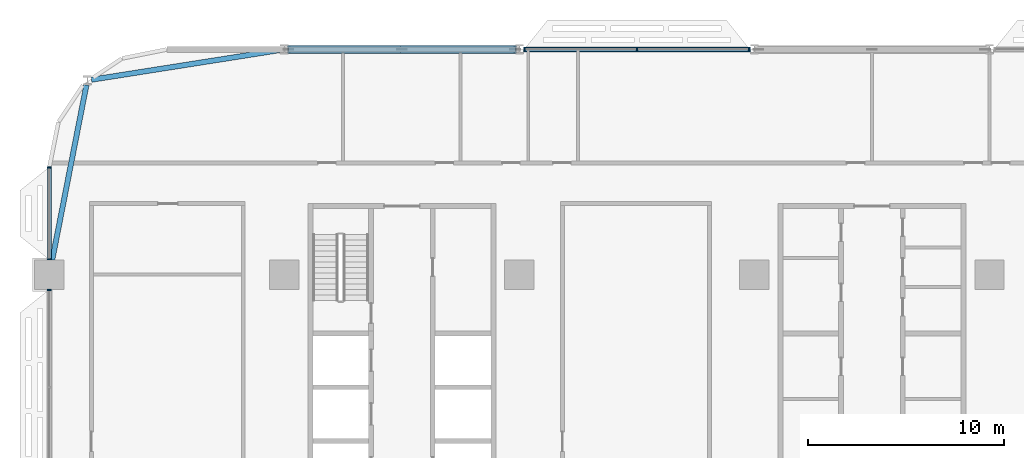
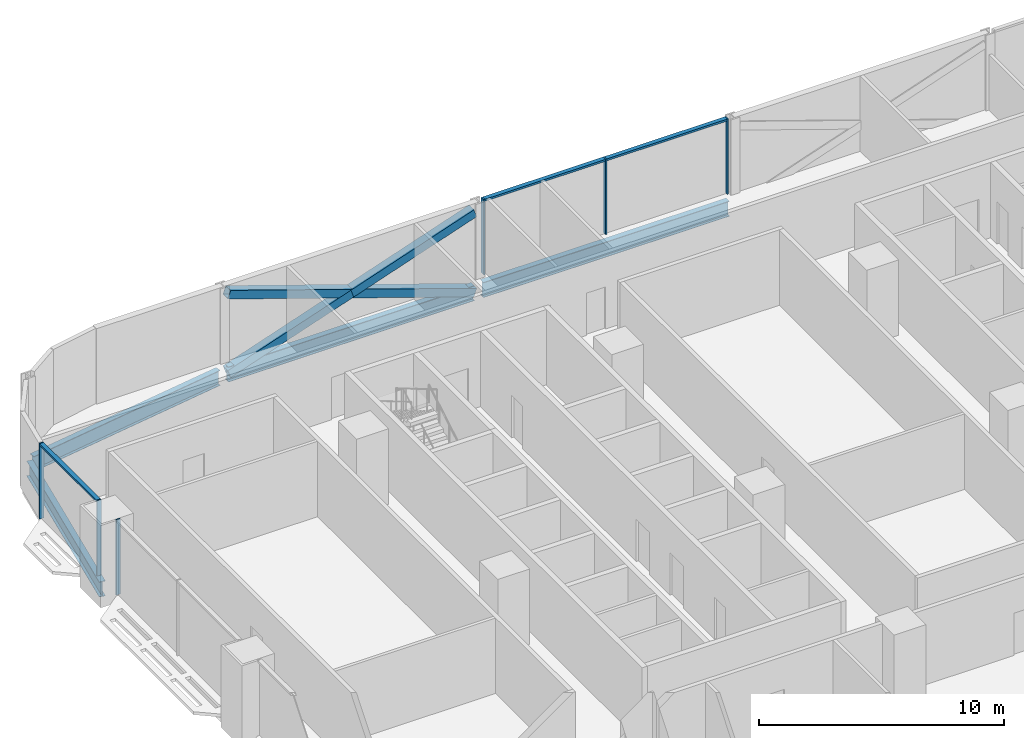
# One storey, part 6 of 29: 12 members, 4 beams, 3 elements without a shape of their own.
"""IFC4 building model written with IfcOpenShell, lengths in metres."""

from ifc_helpers import new_model, si_unit, direction, frame, origin, origin_2d, place, context, subcontext, project, spatial, rectangle, hollow_rectangle, i_section, extrude, material, material_profile, profile_set, type_object, element, aggregate, save


model = new_model("IFC4")

# Units and contexts
model_context = context("Model", 3, precision=1e-05, world=origin(), true_north=direction((0.0, 1.0)))
body_context = subcontext(model_context, "Body", "Model", "MODEL_VIEW")
ifc_project = project(units=[si_unit("LENGTHUNIT", "METRE"), si_unit("AREAUNIT", "SQUARE_METRE"), si_unit("VOLUMEUNIT", "CUBIC_METRE"), si_unit("PLANEANGLEUNIT", "RADIAN"), si_unit("MASSUNIT", "GRAM", prefix="KILO")], contexts=[model_context])

# Site, building, storey
site_placement = place(None, origin())
site = spatial("IfcSite", under=ifc_project, at=site_placement, CompositionType="ELEMENT")
building_placement = place(site_placement, origin())
building = spatial("IfcBuilding", under=site, at=building_placement, Name="Mahtab Terrace Research Tower", CompositionType="ELEMENT")
storey_placement = place(building_placement, frame((0.0, 0.0, 76.10009765625)))
storey = spatial("IfcBuildingStorey", under=building, at=storey_placement, Name="L17", CompositionType="ELEMENT", Elevation=76.10009765625)

# Members
ifc_material_1 = material(Name="Steel ASTM A500 Gr C", Category="steel")
ifc_material_profile_1 = material_profile(ifc_material_1, hollow_rectangle(XDim=0.406494140625, YDim=0.406494140625, WallThickness=0.01904296875, at=origin_2d()), Name="HSS16X16X3/4")
ifc_profile_set_1 = profile_set([ifc_material_profile_1], Name="Steel ASTM A500 Gr C")
member_type_1 = type_object("IfcMemberType", Name="HSS 16x16x3/4 brace XB161634", PredefinedType="BRACE", material=ifc_profile_set_1)
member_1_placement = place(storey_placement, frame((-18.212158203125, 23.0, -0.646240234375), z_axis=(-0.946533742382, 0.0, 0.322604827201), x_axis=(0.0, -1.0, 0.0)))
element("IfcMember", 1, at=member_1_placement, inside=storey, type_object=member_type_1, Name="Exoskeleton brace L17 07 a", PredefinedType="BRACE", context=body_context, shape_type="SweptSolid", body=[
    extrude(hollow_rectangle(XDim=0.406494140625, YDim=0.406494140625, WallThickness=0.01904296875, at=origin_2d()), origin(), (0.0, 0.0, 1.0), 12.2294921875),
])
for number, where, z_axis, x_axis, name in (
    (2, (-29.787841796875, 23.0, -0.646240234375), (0.946533742382, 0.0, 0.322604827201), (0.0, 1.0, 0.0), "Exoskeleton brace L17 07 b1"),
    (3, (-24.0, 23.0, 1.326416015625), (0.946533742382, 0.0, 0.322604827201), (0.0, 1.0, 0.0), "Exoskeleton brace L17 07 b2"),
):
    element("IfcMember", number, at=place(storey_placement, frame(where, z_axis=z_axis, x_axis=x_axis)), inside=storey, type_object=member_type_1, Name=name, PredefinedType="BRACE", context=body_context, shape_type="SweptSolid", body=[
        extrude(hollow_rectangle(XDim=0.406494140625, YDim=0.406494140625, WallThickness=0.01904296875, at=origin_2d()), origin(), (0.0, 0.0, 1.0), 6.11474609375),
    ])

# Curtain wall, members
ifc_material_2 = material(Name="Laboratory ribbon curtain wall")
curtain_wall_type = type_object("IfcCurtainWallType", Name="Laboratory ribbon curtain wall", PredefinedType="NOTDEFINED", material=ifc_material_2)
curtain_wall_1_placement = place(storey_placement, origin())
curtain_wall_1 = element("IfcCurtainWall", 4, at=curtain_wall_1_placement, inside=storey, type_object=curtain_wall_type, Name="EN.L17.3.8", PredefinedType="NOTDEFINED")
ifc_material_3 = material(Name="Natural anodised aluminium", Category="aluminium")
ifc_material_profile_2 = material_profile(ifc_material_3, rectangle(XDim=0.199951171875, YDim=0.06494140625, at=origin_2d()), Name="MULLION 65x200")
ifc_profile_set_2 = profile_set([ifc_material_profile_2], Name="Natural anodised aluminium")
member_type_2 = type_object("IfcMemberType", Name="Laboratory ribbon curtain wall mullion", PredefinedType="MULLION", material=ifc_profile_set_2)
member_2_placement = place(storey_placement, frame((-6.2705078125, 23.0, 0.0), z_axis=(0.0, 0.0, 1.0), x_axis=(0.0, -1.0, 0.0)))
member_2 = element("IfcMember", 5, at=member_2_placement, type_object=member_type_2, Name="CWL-2 mullion 1", PredefinedType="MULLION", context=body_context, shape_type="SweptSolid", body=[
    extrude(rectangle(XDim=0.199951171875, YDim=0.06494140625, at=origin_2d()), origin(), (0.0, 0.0, 1.0), 3.75),
])
member_3_placement = place(storey_placement, frame((-12.0, 23.0, 0.0), z_axis=(0.0, 0.0, 1.0), x_axis=(0.0, -1.0, 0.0)))
member_3 = element("IfcMember", 6, at=member_3_placement, type_object=member_type_2, Name="CWL-2 mullion 2", PredefinedType="MULLION", context=body_context, shape_type="SweptSolid", body=[
    extrude(rectangle(XDim=0.199951171875, YDim=0.06494140625, at=origin_2d()), origin(), (0.0, 0.0, 1.0), 3.75),
])
member_4_placement = place(storey_placement, frame((-17.7294921875, 23.0, 0.0), z_axis=(0.0, 0.0, 1.0), x_axis=(0.0, -1.0, 0.0)))
member_4 = element("IfcMember", 7, at=member_4_placement, type_object=member_type_2, Name="CWL-2 mullion 3", PredefinedType="MULLION", context=body_context, shape_type="SweptSolid", body=[
    extrude(rectangle(XDim=0.199951171875, YDim=0.06494140625, at=origin_2d()), origin(), (0.0, 0.0, 1.0), 3.75),
])

curtain_wall_2_placement = place(storey_placement, origin())
curtain_wall_2 = element("IfcCurtainWall", 8, at=curtain_wall_2_placement, inside=storey, type_object=curtain_wall_type, Name="EN.L17.8.15", PredefinedType="NOTDEFINED")
member_5_placement = place(storey_placement, frame((-42.0, 16.967529296875, 0.0), z_axis=(0.0, 0.0, 1.0), x_axis=(1.0, 0.0, 0.0)))
member_5 = element("IfcMember", 9, at=member_5_placement, type_object=member_type_2, Name="CWL-2 mullion 1", PredefinedType="MULLION", context=body_context, shape_type="SweptSolid", body=[
    extrude(rectangle(XDim=0.199951171875, YDim=0.06494140625, at=origin_2d()), origin(), (0.0, 0.0, 1.0), 3.75),
])
member_6_placement = place(storey_placement, frame((-42.0, 12.282470703125, 0.0), z_axis=(0.0, 0.0, 1.0), x_axis=(1.0, 0.0, 0.0)))
member_6 = element("IfcMember", 10, at=member_6_placement, type_object=member_type_2, Name="CWL-2 mullion 2", PredefinedType="MULLION", context=body_context, shape_type="SweptSolid", body=[
    extrude(rectangle(XDim=0.199951171875, YDim=0.06494140625, at=origin_2d()), origin(), (0.0, 0.0, 1.0), 3.75),
])

# Curtain wall, member
curtain_wall_3_placement = place(storey_placement, origin())
curtain_wall_3 = element("IfcCurtainWall", 11, at=curtain_wall_3_placement, inside=storey, type_object=curtain_wall_type, Name="EN.L17.8.16", PredefinedType="NOTDEFINED")
member_7_placement = place(storey_placement, frame((-42.0, 10.717529296875, 0.0), z_axis=(0.0, 0.0, 1.0), x_axis=(1.0, 0.0, 0.0)))
member_7 = element("IfcMember", 12, at=member_7_placement, type_object=member_type_2, Name="CWL-2 mullion 1", PredefinedType="MULLION", context=body_context, shape_type="SweptSolid", body=[
    extrude(rectangle(XDim=0.199951171875, YDim=0.06494140625, at=origin_2d()), origin(), (0.0, 0.0, 1.0), 3.75),
])
aggregate(curtain_wall_3, [member_7])

# Member
ifc_material_profile_3 = material_profile(ifc_material_3, rectangle(XDim=0.199951171875, YDim=0.10009765625, at=origin_2d()), Name="TRANSOM 100x200")
ifc_profile_set_3 = profile_set([ifc_material_profile_3], Name="Natural anodised aluminium")
member_type_3 = type_object("IfcMemberType", Name="Laboratory ribbon curtain wall transom", PredefinedType="USERDEFINED", material=ifc_profile_set_3)
member_8_placement = place(storey_placement, frame((-6.302978515625, 23.0, 3.699951171875), z_axis=(-1.0, 0.0, 0.0), x_axis=(0.0, -1.0, 0.0)))
member_8 = element("IfcMember", 13, at=member_8_placement, type_object=member_type_3, Name="CWL-2 transom 1", ObjectType="TRANSOM", PredefinedType="USERDEFINED", context=body_context, shape_type="SweptSolid", body=[
    extrude(rectangle(XDim=0.199951171875, YDim=0.10009765625, at=origin_2d()), origin(), (0.0, 0.0, 1.0), 5.66455078125),
])

member_9_placement = place(storey_placement, frame((-12.032470703125, 23.0, 3.699951171875), z_axis=(-1.0, 0.0, 0.0), x_axis=(0.0, -1.0, 0.0)))
member_9 = element("IfcMember", 14, at=member_9_placement, type_object=member_type_3, Name="CWL-2 transom 2", ObjectType="TRANSOM", PredefinedType="USERDEFINED", context=body_context, shape_type="SweptSolid", body=[
    extrude(rectangle(XDim=0.199951171875, YDim=0.10009765625, at=origin_2d()), origin(), (0.0, 0.0, 1.0), 5.66455078125),
])

aggregate(curtain_wall_1, [member_2, member_3, member_4, member_8, member_9])

member_10_placement = place(storey_placement, frame((-42.0, 16.93505859375, 3.699951171875), z_axis=(0.0, -1.0, 0.0), x_axis=(1.0, 0.0, 0.0)))
member_10 = element("IfcMember", 15, at=member_10_placement, type_object=member_type_3, Name="CWL-2 transom 1", ObjectType="TRANSOM", PredefinedType="USERDEFINED", context=body_context, shape_type="SweptSolid", body=[
    extrude(rectangle(XDim=0.199951171875, YDim=0.10009765625, at=origin_2d()), origin(), (0.0, 0.0, 1.0), 4.6201171875),
])

aggregate(curtain_wall_2, [member_5, member_6, member_10])

# Beams
ifc_material_4 = material(Name="Steel ASTM A992 Gr 50", Category="steel")
ifc_material_profile_4 = material_profile(ifc_material_4, i_section(OverallWidth=0.2666015625, OverallDepth=0.7568359375, WebThickness=0.013916015625, FlangeThickness=0.019287109375, at=origin_2d()), Name="W30X108")
ifc_profile_set_4 = profile_set([ifc_material_profile_4], Name="Steel ASTM A992 Gr 50")
beam_type = type_object("IfcBeamType", Name="W30x108 beam BS30108", PredefinedType="BEAM", material=ifc_profile_set_4)
for number, where, z_axis, x_axis, name in (
    (16, (-6.212158203125, 23.0, -0.718505859375), (-1.0, 0.0, 0.0), (0.0, -1.0, 0.0), "Spandrel beam L17 06"),
    (17, (-18.212158203125, 23.0, -0.718505859375), (-1.0, 0.0, 0.0), (0.0, -1.0, 0.0), "Spandrel beam L17 07"),
):
    element("IfcBeam", number, at=place(storey_placement, frame(where, z_axis=z_axis, x_axis=x_axis)), inside=storey, type_object=beam_type, Name=name, PredefinedType="BEAM", context=body_context, shape_type="SweptSolid", body=[
        extrude(i_section(OverallWidth=0.2666015625, OverallDepth=0.7568359375, WebThickness=0.013916015625, FlangeThickness=0.019287109375, at=origin_2d()), origin(), (0.0, 0.0, 1.0), 11.57568359375),
    ])
beam_1_placement = place(storey_placement, frame((-30.212158203125, 22.966552734375, -0.718505859375), z_axis=(-0.987836303792, -0.155497385545, 0.0), x_axis=(0.155497385545, -0.987836303792, 0.0)))
element("IfcBeam", 18, at=beam_1_placement, inside=storey, type_object=beam_type, Name="Spandrel beam L17 08", PredefinedType="BEAM", context=body_context, shape_type="SweptSolid", body=[
    extrude(i_section(OverallWidth=0.2666015625, OverallDepth=0.7568359375, WebThickness=0.013916015625, FlangeThickness=0.019287109375, at=origin_2d()), origin(), (0.0, 0.0, 1.0), 9.75634765625),
])
beam_2_placement = place(storey_placement, frame((-40.1083984375, 21.178466796875, -0.718505859375), z_axis=(-0.191825617976, -0.981429025599, 0.0), x_axis=(0.981429025599, -0.191825617976, 0.0)))
element("IfcBeam", 19, at=beam_2_placement, inside=storey, type_object=beam_type, Name="Spandrel beam L17 09", PredefinedType="BEAM", context=body_context, shape_type="SweptSolid", body=[
    extrude(i_section(OverallWidth=0.2666015625, OverallDepth=0.7568359375, WebThickness=0.013916015625, FlangeThickness=0.019287109375, at=origin_2d()), origin(), (0.0, 0.0, 1.0), 9.097412109375),
])

save(model, "model.ifc")
